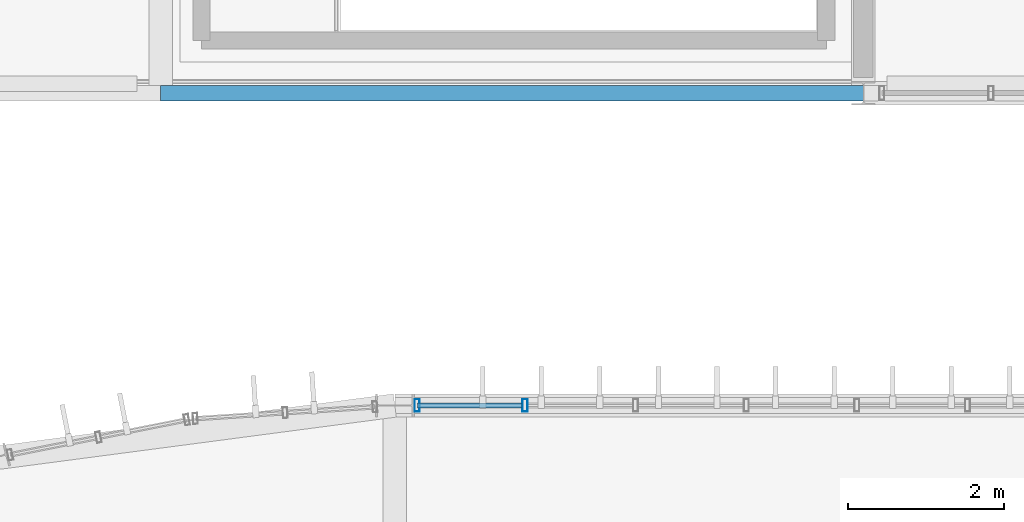
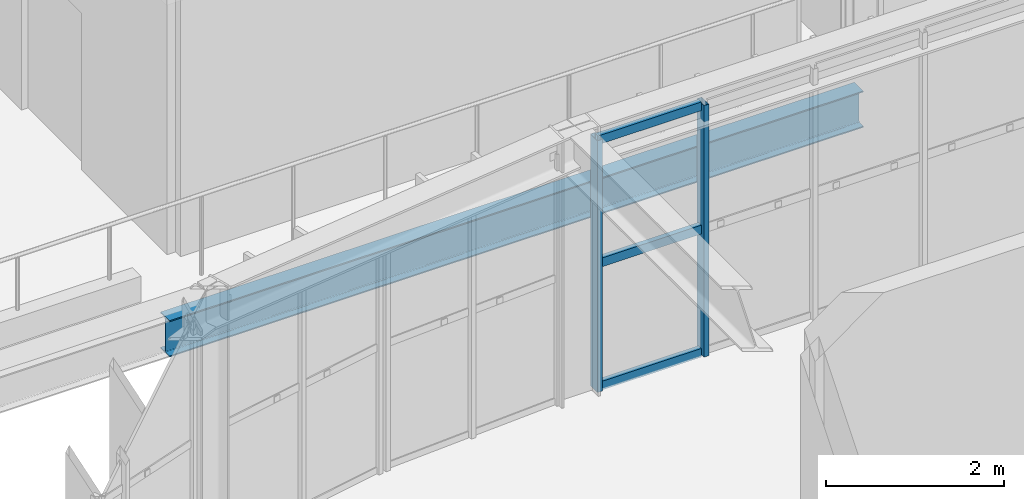
# One storey, part 56 of 152: 5 members, 1 beam, 1 element without a shape of its own.
"""IFC4 building model written with IfcOpenShell, lengths in metres."""

from ifc_helpers import new_model, si_unit, derived_unit, direction, frame, origin, origin_2d, place, context, subcontext, project, spatial, hollow_rectangle, i_section, extrude, material, material_profile, profile_set, type_object, element, aggregate, save


model = new_model("IFC4")

# Units and contexts
model_context = context("Model", 3, precision=1e-05, world=origin(), true_north=direction((0.0, 1.0)))
body_context = subcontext(model_context, "Body", "Model", "MODEL_VIEW")
ifc_project = project(units=[si_unit("LENGTHUNIT", "METRE"), si_unit("AREAUNIT", "SQUARE_METRE"), si_unit("VOLUMEUNIT", "CUBIC_METRE"), si_unit("PLANEANGLEUNIT", "RADIAN"), si_unit("MASSUNIT", "GRAM", prefix="KILO"), si_unit("THERMODYNAMICTEMPERATUREUNIT", "KELVIN"), si_unit("TIMEUNIT", "SECOND"), derived_unit("THERMALTRANSMITTANCEUNIT", [(si_unit("MASSUNIT", "GRAM", prefix="KILO"), 1), (si_unit("THERMODYNAMICTEMPERATUREUNIT", "KELVIN"), -1), (si_unit("TIMEUNIT", "SECOND"), -3)])], contexts=[model_context])

# Site, building, storey
site_placement = place(None, origin())
site = spatial("IfcSite", under=ifc_project, at=site_placement, CompositionType="ELEMENT")
building_placement = place(site_placement, origin())
building = spatial("IfcBuilding", under=site, at=building_placement, Name="Cambertide Market Hall", CompositionType="ELEMENT")
storey_placement = place(building_placement, frame((0.0, 0.0, 5.39990234375)))
storey = spatial("IfcBuildingStorey", under=building, at=storey_placement, Name="L02", CompositionType="ELEMENT", Elevation=5.39990234375)

# Curtain wall, members
ifc_material_1 = material(Name="Marine Anodized Aluminium 6063-T6 AA25", Category="aluminium")
curtain_wall_type = type_object("IfcCurtainWallType", Name="Lantern Straight Upper Curtain Wall", PredefinedType="USERDEFINED", material=ifc_material_1)
curtain_wall_placement = place(storey_placement, origin())
curtain_wall = element("IfcCurtainWall", 1, at=curtain_wall_placement, inside=storey, type_object=curtain_wall_type, Name="Level 2 Curtain Wall CW-V1N-L02-1", ObjectType="UNITIZED CURTAIN WALL", PredefinedType="USERDEFINED")
ifc_material_2 = material(Name="Champagne Marine Anodized Aluminium 6063-T6 AA25", Category="aluminium")
ifc_material_profile_1 = material_profile(ifc_material_2, hollow_rectangle(XDim=0.06494140625, YDim=0.159912109375, WallThickness=0.00341796875, at=origin_2d()), Name="ALU MULLION 65x160")
ifc_profile_set_1 = profile_set([ifc_material_profile_1], Name="Champagne Marine Anodized Aluminium 6063-T6 AA25")
member_type_1 = type_object("IfcMemberType", Name="Curtain Wall Mullion ALU MULLION 65x160", PredefinedType="MULLION", material=ifc_profile_set_1)
member_1_placement = place(storey_placement, frame((42.284912109375, 92.0, 0.0), z_axis=(0.0, 0.0, 1.0), x_axis=(1.0, 0.0, 0.0)))
member_1 = element("IfcMember", 2, at=member_1_placement, type_object=member_type_1, Name="CW-V1N-L02-1 Mullion 1", PredefinedType="MULLION", context=body_context, shape_type="SweptSolid", body=[
    extrude(hollow_rectangle(XDim=0.06494140625, YDim=0.159912109375, WallThickness=0.00341796875, at=origin_2d()), origin(), (0.0, 0.0, 1.0), 3.4501953125),
])
member_2_placement = place(storey_placement, frame((43.666748046875, 92.0, 0.0), z_axis=(0.0, 0.0, 1.0), x_axis=(1.0, 0.0, 0.0)))
member_2 = element("IfcMember", 3, at=member_2_placement, type_object=member_type_1, Name="CW-V1N-L02-1 Mullion 2", PredefinedType="MULLION", context=body_context, shape_type="SweptSolid", body=[
    extrude(hollow_rectangle(XDim=0.06494140625, YDim=0.159912109375, WallThickness=0.00341796875, at=origin_2d()), origin(), (0.0, 0.0, 1.0), 3.4501953125),
])
ifc_material_3 = material(Name="Champagne Marine Anodized Aluminium 6063-T6 AA25", Category="aluminium")
ifc_material_profile_2 = material_profile(ifc_material_3, hollow_rectangle(XDim=0.06494140625, YDim=0.1201171875, WallThickness=0.003173828125, at=origin_2d()), Name="ALU TRANSOM 65x120")
ifc_profile_set_2 = profile_set([ifc_material_profile_2], Name="Champagne Marine Anodized Aluminium 6063-T6 AA25")
member_type_2 = type_object("IfcMemberType", Name="Curtain Wall Transom ALU TRANSOM 65x120", PredefinedType="USERDEFINED", material=ifc_profile_set_2)
member_3_placement = place(storey_placement, frame((42.2900390625, 92.0, 0.03515625), z_axis=(1.0, 0.0, 0.0), x_axis=(0.0, 1.0, 0.0)))
member_3 = element("IfcMember", 4, at=member_3_placement, type_object=member_type_2, Name="CW-V1N-L02-1 Transom 1-1", ObjectType="TRANSOM", PredefinedType="USERDEFINED", context=body_context, shape_type="SweptSolid", body=[
    extrude(hollow_rectangle(XDim=0.06494140625, YDim=0.1201171875, WallThickness=0.003173828125, at=origin_2d()), origin(), (0.0, 0.0, 1.0), 1.336669921875),
])
member_4_placement = place(storey_placement, frame((42.2900390625, 92.0, 1.72509765625), z_axis=(1.0, 0.0, 0.0), x_axis=(0.0, 1.0, 0.0)))
member_4 = element("IfcMember", 5, at=member_4_placement, type_object=member_type_2, Name="CW-V1N-L02-1 Transom 2-1", ObjectType="TRANSOM", PredefinedType="USERDEFINED", context=body_context, shape_type="SweptSolid", body=[
    extrude(hollow_rectangle(XDim=0.06494140625, YDim=0.1201171875, WallThickness=0.003173828125, at=origin_2d()), origin(), (0.0, 0.0, 1.0), 1.336669921875),
])
member_5_placement = place(storey_placement, frame((42.2900390625, 92.0, 3.4150390625), z_axis=(1.0, 0.0, 0.0), x_axis=(0.0, 1.0, 0.0)))
member_5 = element("IfcMember", 6, at=member_5_placement, type_object=member_type_2, Name="CW-V1N-L02-1 Transom 3-1", ObjectType="TRANSOM", PredefinedType="USERDEFINED", context=body_context, shape_type="SweptSolid", body=[
    extrude(hollow_rectangle(XDim=0.06494140625, YDim=0.1201171875, WallThickness=0.003173828125, at=origin_2d()), origin(), (0.0, 0.0, 1.0), 1.336669921875),
])
aggregate(curtain_wall, [member_1, member_2, member_3, member_4, member_5])

# Beam
ifc_material_4 = material(Name="Steel S355", Category="steel")
ifc_material_profile_3 = material_profile(ifc_material_4, i_section(OverallWidth=0.199951171875, OverallDepth=0.5, WebThickness=0.01025390625, FlangeThickness=0.01611328125, FilletRadius=0.02099609375, at=origin_2d()), Name="IPE 500")
ifc_profile_set_3 = profile_set([ifc_material_profile_3], Name="Steel S355")
beam_type = type_object("IfcBeamType", Name="Steel Girder IPE 500", PredefinedType="BEAM", material=ifc_profile_set_3)
beam_placement = place(storey_placement, frame((39.0, 96.0, -0.539794921875), z_axis=(1.0, 0.0, 0.0), x_axis=(0.0, 1.0, 0.0)))
element("IfcBeam", 7, at=beam_placement, inside=storey, type_object=beam_type, Name="Level 2 Beam BM-V2X-L02-4-1", PredefinedType="BEAM", context=body_context, shape_type="SweptSolid", body=[
    extrude(i_section(OverallWidth=0.199951171875, OverallDepth=0.5, WebThickness=0.01025390625, FlangeThickness=0.01611328125, FilletRadius=0.02099609375, at=origin_2d()), origin(), (0.0, 0.0, 1.0), 9.0),
])

save(model, "model.ifc")
